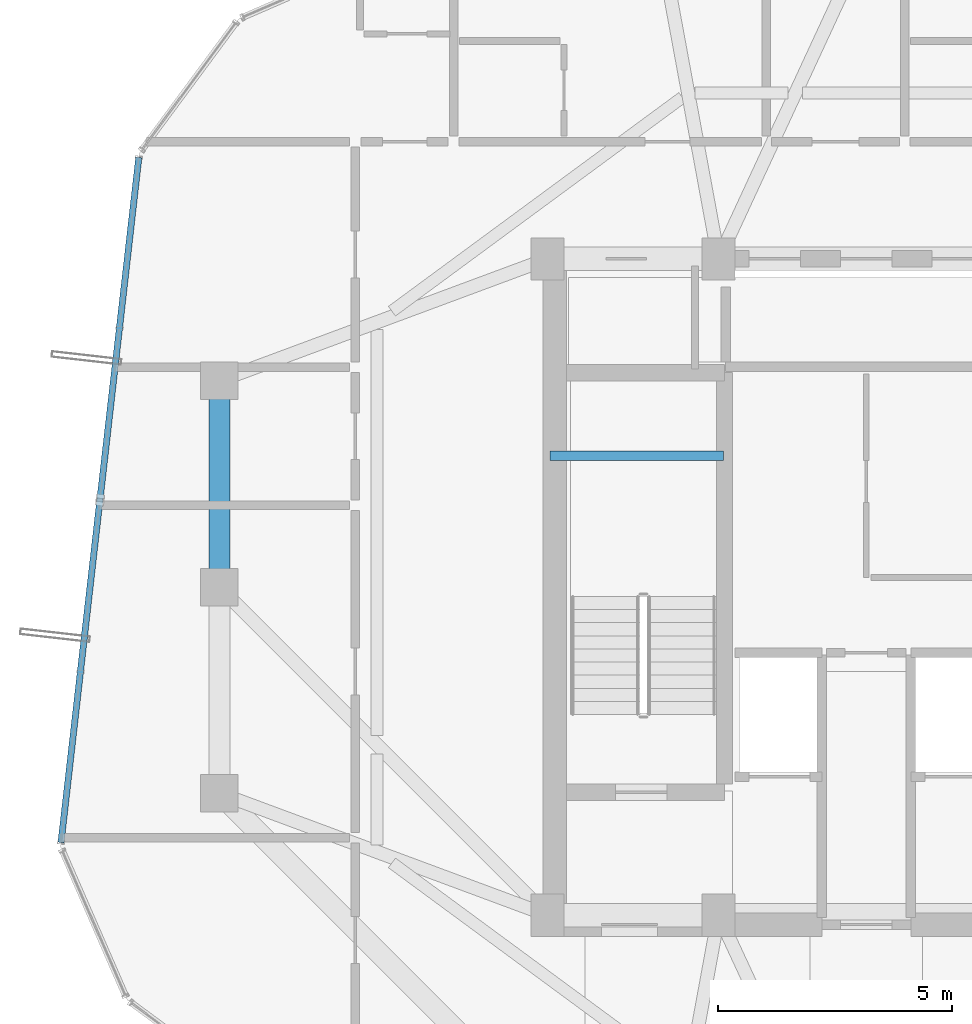
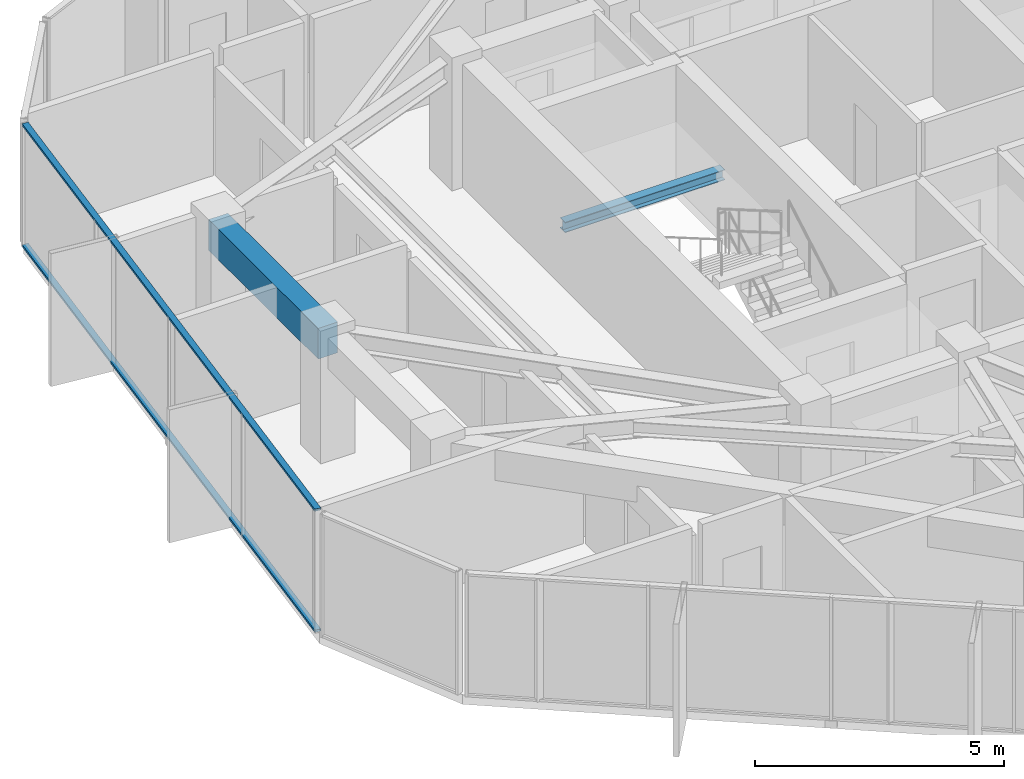
# One storey, part 13 of 30: 2 beams, 2 members, 1 element without a shape of its own.
"""IFC4 building model written with IfcOpenShell, lengths in metres."""

from ifc_helpers import new_model, si_unit, direction, frame, origin, origin_2d, place, context, subcontext, project, spatial, rectangle, hollow_rectangle, i_section, extrude, source, transform, mapped, material, layer, layer_set, material_profile, profile_set, type_object, element, aggregate, save


model = new_model("IFC4")

# Units and contexts
model_context = context("Model", 3, precision=1e-05, world=origin(), true_north=direction((0.0, 1.0)))
body_context = subcontext(model_context, "Body", "Model", "MODEL_VIEW")
ifc_project = project(units=[si_unit("LENGTHUNIT", "METRE"), si_unit("AREAUNIT", "SQUARE_METRE"), si_unit("VOLUMEUNIT", "CUBIC_METRE"), si_unit("PLANEANGLEUNIT", "RADIAN"), si_unit("MASSUNIT", "GRAM", prefix="KILO")], contexts=[model_context])

# Site, building, storey
site_placement = place(None, origin())
site = spatial("IfcSite", under=ifc_project, at=site_placement, CompositionType="ELEMENT")
building_placement = place(site_placement, origin())
building = spatial("IfcBuilding", under=site, at=building_placement, Name="Veraguas Prism Commons", CompositionType="ELEMENT")
storey_placement = place(building_placement, frame((0.0, 0.0, 230.050048828125)))
storey = spatial("IfcBuildingStorey", under=building, at=storey_placement, Name="L65", CompositionType="ELEMENT", Elevation=230.050048828125)

# Beams
ifc_material_1 = material(Name="Concrete C50/60", Category="concrete")
ifc_material_profile_1 = material_profile(ifc_material_1, rectangle(XDim=0.449951171875, YDim=0.75, at=origin_2d()), Name="RC450X750")
ifc_profile_set_1 = profile_set([ifc_material_profile_1], Name="Concrete C50/60")
beam_type_1 = type_object("IfcBeamType", Name="Perimeter Spandrel Upper RC 450x750", PredefinedType="SPANDREL", material=ifc_profile_set_1)
beam_1_placement = place(storey_placement, frame((10.199951171875, 28.39990234375, 2.639892578125), z_axis=(0.0, -1.0, 0.0), x_axis=(1.0, 0.0, 0.0)))
element("IfcBeam", 1, at=beam_1_placement, inside=storey, type_object=beam_type_1, Name="Perimeter Spandrel Beam L65-SP07", PredefinedType="SPANDREL", context=body_context, shape_type="SweptSolid", body=[
    extrude(rectangle(XDim=0.449951171875, YDim=0.75, at=origin_2d()), origin(), (0.0, 0.0, 1.0), 4.39990234375),
])
ifc_material_2 = material(Name="Steel ASTM A992 Grade 50", Category="steel")
ifc_material_profile_2 = material_profile(ifc_material_2, i_section(OverallWidth=0.202880859375, OverallDepth=0.251953125, WebThickness=0.008056640625, FlangeThickness=0.013427734375, at=origin_2d()), Name="W250X58")
ifc_profile_set_2 = profile_set([ifc_material_profile_2], Name="Steel ASTM A992 Grade 50")
beam_type_2 = type_object("IfcBeamType", Name="Structural Opening Lintel W250x58", PredefinedType="LINTEL", material=ifc_profile_set_2)
beam_2_placement = place(storey_placement, frame((17.25, 26.800048828125, 1.299072265625), z_axis=(1.0, 0.0, 0.0), x_axis=(0.0, 1.0, 0.0)))
element("IfcBeam", 2, at=beam_2_placement, inside=storey, type_object=beam_type_2, Name="Stair ST-01 Half-Landing Support Beam L65-1", PredefinedType="LINTEL", context=body_context, shape_type="SweptSolid", body=[
    extrude(i_section(OverallWidth=0.202880859375, OverallDepth=0.251953125, WebThickness=0.008056640625, FlangeThickness=0.013427734375, at=origin_2d()), origin(), (0.0, 0.0, 1.0), 3.699951171875),
])

# Curtain wall, members
ifc_material_3 = material(Name="Anodised aluminium EN AW-6063 T6", Category="aluminium")
ifc_layer = layer(ifc_material_3, 0.14990234375, Name="Unitised Flush Curtain Wall Zone 4", Category="aluminium")
ifc_layer_set = layer_set([ifc_layer], Name="Anodised aluminium EN AW-6063 T6")
curtain_wall_type = type_object("IfcCurtainWallType", Name="Unitised Flush Curtain Wall Zone 4", PredefinedType="NOTDEFINED", material=ifc_layer_set)
curtain_wall_placement = place(storey_placement, origin())
curtain_wall = element("IfcCurtainWall", 3, at=curtain_wall_placement, inside=storey, type_object=curtain_wall_type, Name="Tower Facade Curtain Wall L65-F3", PredefinedType="NOTDEFINED")
ifc_material_profile_3 = material_profile(ifc_material_3, hollow_rectangle(XDim=0.054931640625, YDim=0.135009765625, WallThickness=0.0029296875, at=origin_2d()), Name="AL55X135X3")
ifc_profile_set_3 = profile_set([ifc_material_profile_3], Name="Anodised aluminium EN AW-6063 T6")
member_type = type_object("IfcMemberType", Name="Curtain Wall Transom Standard AL 55x135x3", PredefinedType="USERDEFINED", material=ifc_profile_set_3)
shared_shape = source(origin(), body_context, "Body", "SweptSolid", [
    extrude(hollow_rectangle(XDim=0.054931640625, YDim=0.135009765625, WallThickness=0.0029296875, at=origin_2d()), origin(), (0.0, 0.0, 1.0), 14.706298828125),
])
member_1_placement = place(storey_placement, frame((8.48046875, 33.1630859375, 0.02734375), z_axis=(-0.112854559552, -0.993611517842, 0.0), x_axis=(0.0, 0.0, 1.0)))
member_1 = element("IfcMember", 4, at=member_1_placement, type_object=member_type, Name="CW-Z4 Transom 1", ObjectType="TRANSOM", PredefinedType="USERDEFINED", context=body_context, shape_type="MappedRepresentation", body=[
    mapped(shared_shape, transform((0.0, 0.0, 0.0), scale=1.0)),
])
member_2_placement = place(storey_placement, frame((8.48046875, 33.1630859375, 2.987548828125), z_axis=(-0.112854559552, -0.993611517842, 0.0), x_axis=(0.0, 0.0, 1.0)))
member_2 = element("IfcMember", 5, at=member_2_placement, type_object=member_type, Name="CW-Z4 Transom 2", ObjectType="TRANSOM", PredefinedType="USERDEFINED", context=body_context, shape_type="MappedRepresentation", body=[
    mapped(shared_shape, transform((0.0, 0.0, 0.0), scale=1.0)),
])
aggregate(curtain_wall, [member_1, member_2])

save(model, "model.ifc")
